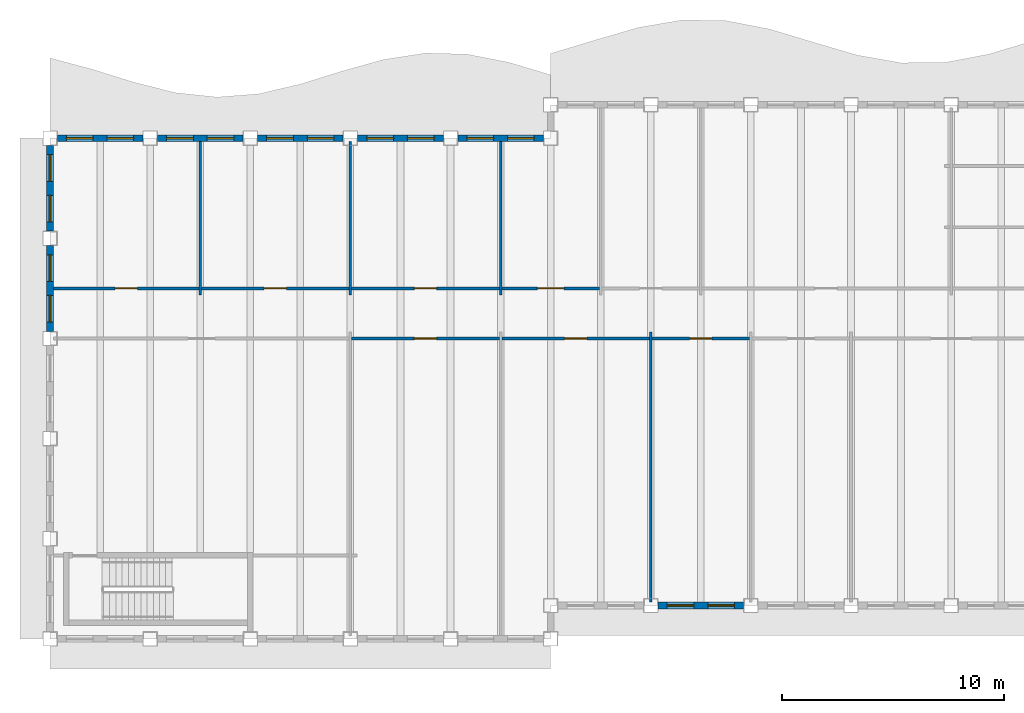
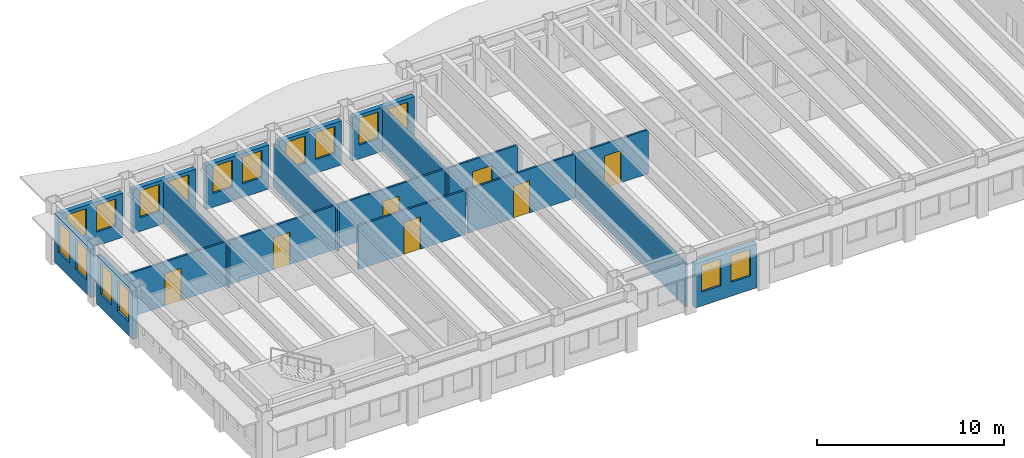
# One storey, part 3 of 12: 19 walls, 16 windows, 7 doors, 23 openings.
"""IFC4 building model written with IfcOpenShell, lengths in metres."""

from ifc_helpers import new_model, si_unit, direction, frame, frame_2d, origin, place, context, subcontext, project, spatial, rectangle, extrude, material, layer, layer_set, type_object, element, fill, save


model = new_model("IFC4")

# Units and contexts
model_context = context("Model", 3, precision=1e-05, world=origin(), true_north=direction((0.0, 1.0)))
body_context = subcontext(model_context, "Body", "Model", "MODEL_VIEW")
ifc_project = project(units=[si_unit("LENGTHUNIT", "METRE"), si_unit("AREAUNIT", "SQUARE_METRE"), si_unit("VOLUMEUNIT", "CUBIC_METRE"), si_unit("PLANEANGLEUNIT", "RADIAN"), si_unit("MASSUNIT", "GRAM", prefix="KILO")], contexts=[model_context])

# Site, building, storey
site_placement = place(None, origin())
site = spatial("IfcSite", under=ifc_project, at=site_placement, CompositionType="ELEMENT")
building_placement = place(site_placement, origin())
building = spatial("IfcBuilding", under=site, at=building_placement, Name="Sennacour Bend Tower", CompositionType="ELEMENT")
storey_placement = place(building_placement, frame((0.0, 0.0, 281.0)))
storey = spatial("IfcBuildingStorey", under=building, at=storey_placement, Name="L65", CompositionType="ELEMENT", Elevation=281.0)

# Walls
ifc_material_1 = material(Name="Plasterboard partition on steel studs", Category="steel")
ifc_layer_1 = layer(ifc_material_1, 0.1201171875, Name="Plasterboard partition on steel studs", Category="steel")
ifc_layer_set_1 = layer_set([ifc_layer_1], Name="Plasterboard partition on steel studs")
wall_type_1 = type_object("IfcWallType", Name="Partition 120", PredefinedType="PARTITIONING", material=ifc_layer_set_1)
for number, where, z_axis, x_axis, name in (
    (1, (6.75, 15.449951171875, 0.0), (0.0, 0.0, 1.0), (0.0, 1.0, 0.0), "P-L65-W003a"),
    (2, (13.5, 15.449951171875, 0.0), (0.0, 0.0, 1.0), (0.0, 1.0, 0.0), "P-L65-W006a"),
    (3, (20.25, 15.449951171875, 0.0), (0.0, 0.0, 1.0), (0.0, 1.0, 0.0), "P-L65-W008a"),
):
    element("IfcWall", number, at=place(storey_placement, frame(where, z_axis=z_axis, x_axis=x_axis)), inside=storey, type_object=wall_type_1, Name=name, PredefinedType="PARTITIONING", context=body_context, shape_type="SweptSolid", body=[
        extrude(rectangle(XDim=6.900146484375, YDim=0.1201171875, at=frame_2d((3.4501953125, 0.0))), origin(), (0.0, 0.0, 1.0), 2.8701171875),
    ])
wall_1_placement = place(storey_placement, frame((27.0, 1.64990234375, 0.0), z_axis=(0.0, 0.0, 1.0), x_axis=(0.0, 1.0, 0.0)))
element("IfcWall", 4, at=wall_1_placement, inside=storey, type_object=wall_type_1, Name="P-L65-W010a", PredefinedType="PARTITIONING", context=body_context, shape_type="SweptSolid", body=[
    extrude(rectangle(XDim=12.150146484375, YDim=0.1201171875, at=frame_2d((6.0751953125, 0.0))), origin(), (0.0, 0.0, 1.0), 2.8701171875),
])

# Wall, opening, door
wall_2_placement = place(storey_placement, frame((13.56005859375, 13.5, 0.0), z_axis=(0.0, 0.0, 1.0), x_axis=(1.0, 0.0, 0.0)))
wall_2 = element("IfcWall", 5, at=wall_2_placement, inside=storey, type_object=wall_type_1, Name="P-L65-W043ab", PredefinedType="PARTITIONING", context=body_context, shape_type="SweptSolid", body=[
    extrude(rectangle(XDim=6.6298828125, YDim=0.1201171875, at=frame_2d((3.31494140625, 0.0))), origin(), (0.0, 0.0, 1.0), 2.8701171875),
])
opening_1_placement = place(wall_2_placement, frame((2.81494140625, 0.0, 0.0)))
opening_1 = element("IfcOpeningElement", 6, at=opening_1_placement, cuts=wall_2, Name="Opening OD2", PredefinedType="OPENING", context=body_context, shape_type="SweptSolid", body=[
    extrude(rectangle(XDim=1.0, YDim=2.10009765625, at=frame_2d((0.5, 1.050048828125))), frame((0.0, 0.070068359375, 0.0), z_axis=(0.0, -1.0, 0.0), x_axis=(1.0, 0.0, 0.0)), (0.0, 0.0, 1.0), 0.14013671875),
])
ifc_material_2 = material(Name="Timber", Category="wood")
door_type_1 = type_object("IfcDoorType", Name="DR-OFFICE-1000", OperationType="NOTDEFINED", PredefinedType="DOOR", material=ifc_material_2)
door_1_placement = place(opening_1_placement, origin())
door_1 = element("IfcDoor", 7, at=door_1_placement, inside=storey, type_object=door_type_1, Name="Door", OperationType="SINGLE_SWING_LEFT", OverallHeight=2.10009765625, OverallWidth=1.0, PredefinedType="DOOR", context=body_context, shape_type="SweptSolid", body=[
    extrude(rectangle(XDim=1.0, YDim=2.10009765625, at=frame_2d((0.5, 1.050048828125))), frame((0.0, 0.02490234375, 0.0), z_axis=(0.0, -1.0, 0.0), x_axis=(1.0, 0.0, 0.0)), (0.0, 0.0, 1.0), 0.050048828125),
])
fill(opening_1, door_1)

wall_3_placement = place(storey_placement, frame((20.31005859375, 13.5, 0.0), z_axis=(0.0, 0.0, 1.0), x_axis=(1.0, 0.0, 0.0)))
wall_3 = element("IfcWall", 8, at=wall_3_placement, inside=storey, type_object=wall_type_1, Name="P-L65-W043ac", PredefinedType="PARTITIONING", context=body_context, shape_type="SweptSolid", body=[
    extrude(rectangle(XDim=6.6298828125, YDim=0.1201171875, at=frame_2d((3.31494140625, 0.0))), origin(), (0.0, 0.0, 1.0), 2.8701171875),
])
opening_2_placement = place(wall_3_placement, frame((2.81494140625, 0.0, 0.0)))
opening_2 = element("IfcOpeningElement", 9, at=opening_2_placement, cuts=wall_3, Name="Opening OD2", PredefinedType="OPENING", context=body_context, shape_type="SweptSolid", body=[
    extrude(rectangle(XDim=1.0, YDim=2.10009765625, at=frame_2d((0.5, 1.050048828125))), frame((0.0, 0.070068359375, 0.0), z_axis=(0.0, -1.0, 0.0), x_axis=(1.0, 0.0, 0.0)), (0.0, 0.0, 1.0), 0.14013671875),
])
door_2_placement = place(opening_2_placement, origin())
door_2 = element("IfcDoor", 10, at=door_2_placement, inside=storey, type_object=door_type_1, Name="Door", OperationType="SINGLE_SWING_LEFT", OverallHeight=2.10009765625, OverallWidth=1.0, PredefinedType="DOOR", context=body_context, shape_type="SweptSolid", body=[
    extrude(rectangle(XDim=1.0, YDim=2.10009765625, at=frame_2d((0.5, 1.050048828125))), frame((0.0, 0.02490234375, 0.0), z_axis=(0.0, -1.0, 0.0), x_axis=(1.0, 0.0, 0.0)), (0.0, 0.0, 1.0), 0.050048828125),
])
fill(opening_2, door_2)

wall_4_placement = place(storey_placement, frame((27.06005859375, 13.5, 0.0), z_axis=(0.0, 0.0, 1.0), x_axis=(1.0, 0.0, 0.0)))
wall_4 = element("IfcWall", 11, at=wall_4_placement, inside=storey, type_object=wall_type_1, Name="P-L65-W043ad", PredefinedType="PARTITIONING", context=body_context, shape_type="SweptSolid", body=[
    extrude(rectangle(XDim=4.3798828125, YDim=0.1201171875, at=frame_2d((2.18994140625, 0.0))), origin(), (0.0, 0.0, 1.0), 2.8701171875),
])
opening_3_placement = place(wall_4_placement, frame((1.68994140625, 0.0, 0.0)))
opening_3 = element("IfcOpeningElement", 12, at=opening_3_placement, cuts=wall_4, Name="Opening OD2", PredefinedType="OPENING", context=body_context, shape_type="SweptSolid", body=[
    extrude(rectangle(XDim=1.0, YDim=2.10009765625, at=frame_2d((0.5, 1.050048828125))), frame((0.0, 0.070068359375, 0.0), z_axis=(0.0, -1.0, 0.0), x_axis=(1.0, 0.0, 0.0)), (0.0, 0.0, 1.0), 0.14013671875),
])
door_3_placement = place(opening_3_placement, origin())
door_3 = element("IfcDoor", 13, at=door_3_placement, inside=storey, type_object=door_type_1, Name="Door", OperationType="SINGLE_SWING_LEFT", OverallHeight=2.10009765625, OverallWidth=1.0, PredefinedType="DOOR", context=body_context, shape_type="SweptSolid", body=[
    extrude(rectangle(XDim=1.0, YDim=2.10009765625, at=frame_2d((0.5, 1.050048828125))), frame((0.0, 0.02490234375, 0.0), z_axis=(0.0, -1.0, 0.0), x_axis=(1.0, 0.0, 0.0)), (0.0, 0.0, 1.0), 0.050048828125),
])
fill(opening_3, door_3)

wall_5_placement = place(storey_placement, frame((0.14990234375, 15.75, 0.0), z_axis=(0.0, 0.0, 1.0), x_axis=(1.0, 0.0, 0.0)))
wall_5 = element("IfcWall", 14, at=wall_5_placement, inside=storey, type_object=wall_type_1, Name="P-L65-W046aa", PredefinedType="PARTITIONING", context=body_context, shape_type="SweptSolid", body=[
    extrude(rectangle(XDim=6.5400390625, YDim=0.1201171875, at=frame_2d((3.27001953125, 0.0))), origin(), (0.0, 0.0, 1.0), 2.8701171875),
])
opening_4_placement = place(wall_5_placement, frame((2.780029296875, 0.0, 0.0)))
opening_4 = element("IfcOpeningElement", 15, at=opening_4_placement, cuts=wall_5, Name="Opening OD2", PredefinedType="OPENING", context=body_context, shape_type="SweptSolid", body=[
    extrude(rectangle(XDim=1.0, YDim=2.10009765625, at=frame_2d((0.5, 1.050048828125))), frame((0.0, 0.070068359375, 0.0), z_axis=(0.0, -1.0, 0.0), x_axis=(1.0, 0.0, 0.0)), (0.0, 0.0, 1.0), 0.14013671875),
])
door_4_placement = place(opening_4_placement, origin())
door_4 = element("IfcDoor", 16, at=door_4_placement, inside=storey, type_object=door_type_1, Name="Door", OperationType="SINGLE_SWING_RIGHT", OverallHeight=2.10009765625, OverallWidth=1.0, PredefinedType="DOOR", context=body_context, shape_type="SweptSolid", body=[
    extrude(rectangle(XDim=1.0, YDim=2.10009765625, at=frame_2d((0.5, 1.050048828125))), frame((0.0, 0.02490234375, 0.0), z_axis=(0.0, -1.0, 0.0), x_axis=(1.0, 0.0, 0.0)), (0.0, 0.0, 1.0), 0.050048828125),
])
fill(opening_4, door_4)

wall_6_placement = place(storey_placement, frame((6.81005859375, 15.75, 0.0), z_axis=(0.0, 0.0, 1.0), x_axis=(1.0, 0.0, 0.0)))
wall_6 = element("IfcWall", 17, at=wall_6_placement, inside=storey, type_object=wall_type_1, Name="P-L65-W046ab", PredefinedType="PARTITIONING", context=body_context, shape_type="SweptSolid", body=[
    extrude(rectangle(XDim=6.6298828125, YDim=0.1201171875, at=frame_2d((3.31494140625, 0.0))), origin(), (0.0, 0.0, 1.0), 2.8701171875),
])
opening_5_placement = place(wall_6_placement, frame((2.81494140625, 0.0, 0.0)))
opening_5 = element("IfcOpeningElement", 18, at=opening_5_placement, cuts=wall_6, Name="Opening OD2", PredefinedType="OPENING", context=body_context, shape_type="SweptSolid", body=[
    extrude(rectangle(XDim=1.0, YDim=2.10009765625, at=frame_2d((0.5, 1.050048828125))), frame((0.0, 0.070068359375, 0.0), z_axis=(0.0, -1.0, 0.0), x_axis=(1.0, 0.0, 0.0)), (0.0, 0.0, 1.0), 0.14013671875),
])
door_5_placement = place(opening_5_placement, origin())
door_5 = element("IfcDoor", 19, at=door_5_placement, inside=storey, type_object=door_type_1, Name="Door", OperationType="SINGLE_SWING_LEFT", OverallHeight=2.10009765625, OverallWidth=1.0, PredefinedType="DOOR", context=body_context, shape_type="SweptSolid", body=[
    extrude(rectangle(XDim=1.0, YDim=2.10009765625, at=frame_2d((0.5, 1.050048828125))), frame((0.0, 0.02490234375, 0.0), z_axis=(0.0, -1.0, 0.0), x_axis=(1.0, 0.0, 0.0)), (0.0, 0.0, 1.0), 0.050048828125),
])
fill(opening_5, door_5)

wall_7_placement = place(storey_placement, frame((13.56005859375, 15.75, 0.0), z_axis=(0.0, 0.0, 1.0), x_axis=(1.0, 0.0, 0.0)))
wall_7 = element("IfcWall", 20, at=wall_7_placement, inside=storey, type_object=wall_type_1, Name="P-L65-W046ac", PredefinedType="PARTITIONING", context=body_context, shape_type="SweptSolid", body=[
    extrude(rectangle(XDim=6.6298828125, YDim=0.1201171875, at=frame_2d((3.31494140625, 0.0))), origin(), (0.0, 0.0, 1.0), 2.8701171875),
])
opening_6_placement = place(wall_7_placement, frame((2.81494140625, 0.0, 0.0)))
opening_6 = element("IfcOpeningElement", 21, at=opening_6_placement, cuts=wall_7, Name="Opening OD2", PredefinedType="OPENING", context=body_context, shape_type="SweptSolid", body=[
    extrude(rectangle(XDim=1.0, YDim=2.10009765625, at=frame_2d((0.5, 1.050048828125))), frame((0.0, 0.070068359375, 0.0), z_axis=(0.0, -1.0, 0.0), x_axis=(1.0, 0.0, 0.0)), (0.0, 0.0, 1.0), 0.14013671875),
])
door_6_placement = place(opening_6_placement, origin())
door_6 = element("IfcDoor", 22, at=door_6_placement, inside=storey, type_object=door_type_1, Name="Door", OperationType="SINGLE_SWING_LEFT", OverallHeight=2.10009765625, OverallWidth=1.0, PredefinedType="DOOR", context=body_context, shape_type="SweptSolid", body=[
    extrude(rectangle(XDim=1.0, YDim=2.10009765625, at=frame_2d((0.5, 1.050048828125))), frame((0.0, 0.02490234375, 0.0), z_axis=(0.0, -1.0, 0.0), x_axis=(1.0, 0.0, 0.0)), (0.0, 0.0, 1.0), 0.050048828125),
])
fill(opening_6, door_6)

wall_8_placement = place(storey_placement, frame((20.31005859375, 15.75, 0.0), z_axis=(0.0, 0.0, 1.0), x_axis=(1.0, 0.0, 0.0)))
wall_8 = element("IfcWall", 23, at=wall_8_placement, inside=storey, type_object=wall_type_1, Name="P-L65-W046ad", PredefinedType="PARTITIONING", context=body_context, shape_type="SweptSolid", body=[
    extrude(rectangle(XDim=4.3798828125, YDim=0.1201171875, at=frame_2d((2.18994140625, 0.0))), origin(), (0.0, 0.0, 1.0), 2.8701171875),
])
opening_7_placement = place(wall_8_placement, frame((1.58984375, 0.0, 0.0)))
opening_7 = element("IfcOpeningElement", 24, at=opening_7_placement, cuts=wall_8, Name="Opening OD", PredefinedType="OPENING", context=body_context, shape_type="SweptSolid", body=[
    extrude(rectangle(XDim=1.199951171875, YDim=2.10009765625, at=frame_2d((0.60009765625, 1.050048828125))), frame((0.0, 0.070068359375, 0.0), z_axis=(0.0, -1.0, 0.0), x_axis=(1.0, 0.0, 0.0)), (0.0, 0.0, 1.0), 0.14013671875),
])
door_type_2 = type_object("IfcDoorType", Name="DR-OFFICE-1200", OperationType="NOTDEFINED", PredefinedType="DOOR", material=ifc_material_2)
door_7_placement = place(opening_7_placement, origin())
door_7 = element("IfcDoor", 25, at=door_7_placement, inside=storey, type_object=door_type_2, Name="Door", OperationType="SINGLE_SWING_LEFT", OverallHeight=2.10009765625, OverallWidth=1.199951171875, PredefinedType="DOOR", context=body_context, shape_type="SweptSolid", body=[
    extrude(rectangle(XDim=1.199951171875, YDim=2.10009765625, at=frame_2d((0.60009765625, 1.050048828125))), frame((0.0, 0.02490234375, 0.0), z_axis=(0.0, -1.0, 0.0), x_axis=(1.0, 0.0, 0.0)), (0.0, 0.0, 1.0), 0.050048828125),
])
fill(opening_7, door_7)

# Wall, openings, windows
ifc_material_3 = material(Name="Warm limestone cladding", Category="masonry")
ifc_layer_2 = layer(ifc_material_3, 0.050048828125, Name="Warm limestone cladding", Category="masonry")
ifc_material_4 = material(Name="Precast concrete C40/50", Category="concrete")
ifc_layer_3 = layer(ifc_material_4, 0.25, Name="Precast concrete C40/50", Category="concrete")
ifc_layer_set_2 = layer_set([ifc_layer_2, ifc_layer_3], Name="Precast concrete C40/50 with limestone cladding")
wall_type_2 = type_object("IfcWallType", Name="STONE-CLAD PRECAST SPANDREL 300", PredefinedType="STANDARD", material=ifc_layer_set_2)
wall_9_placement = place(storey_placement, frame((27.324951171875, 1.5, 0.0), z_axis=(0.0, 0.0, 1.0), x_axis=(1.0, 0.0, 0.0)))
wall_9 = element("IfcWall", 26, at=wall_9_placement, inside=storey, type_object=wall_type_2, Name="Stone spandrel and pier wall L65 01.01", PredefinedType="STANDARD", context=body_context, shape_type="SweptSolid", body=[
    extrude(rectangle(XDim=3.85009765625, YDim=0.300048828125, at=frame_2d((1.925048828125, 0.0))), origin(), (0.0, 0.0, 1.0), 2.8701171875),
])
opening_8_placement = place(wall_9_placement, frame((0.41259765625, 0.0, 0.89990234375)))
opening_8 = element("IfcOpeningElement", 27, at=opening_8_placement, cuts=wall_9, Name="Opening W16", PredefinedType="OPENING", context=body_context, shape_type="SweptSolid", body=[
    extrude(rectangle(XDim=1.199951171875, YDim=1.75, at=frame_2d((0.60009765625, 0.875))), frame((0.0, 0.16015625, 0.0), z_axis=(0.0, -1.0, 0.0), x_axis=(1.0, 0.0, 0.0)), (0.0, 0.0, 1.0), 0.320068359375),
])
opening_9_placement = place(wall_9_placement, frame((2.237548828125, 0.0, 0.89990234375)))
opening_9 = element("IfcOpeningElement", 28, at=opening_9_placement, cuts=wall_9, Name="Opening W16", PredefinedType="OPENING", context=body_context, shape_type="SweptSolid", body=[
    extrude(rectangle(XDim=1.199951171875, YDim=1.75, at=frame_2d((0.60009765625, 0.875))), frame((0.0, 0.16015625, 0.0), z_axis=(0.0, -1.0, 0.0), x_axis=(1.0, 0.0, 0.0)), (0.0, 0.0, 1.0), 0.320068359375),
])
ifc_material_5 = material(Name="Clear low-emissivity glass", Category="glass")
window_type_1 = type_object("IfcWindowType", Name="WIN-RIBBON-1200x1750", PartitioningType="SINGLE_PANEL", PredefinedType="WINDOW", material=ifc_material_5)
window_1_placement = place(opening_8_placement, origin())
window_1 = element("IfcWindow", 29, at=window_1_placement, inside=storey, type_object=window_type_1, Name="Ribbon window L65 01.01.0", OverallHeight=1.75, OverallWidth=1.199951171875, PartitioningType="SINGLE_PANEL", PredefinedType="WINDOW", context=body_context, shape_type="SweptSolid", body=[
    extrude(rectangle(XDim=1.199951171875, YDim=1.75, at=frame_2d((0.60009765625, 0.875))), frame((0.0, 0.030029296875, 0.0), z_axis=(0.0, -1.0, 0.0), x_axis=(1.0, 0.0, 0.0)), (0.0, 0.0, 1.0), 0.06005859375),
])
fill(opening_8, window_1)
window_2_placement = place(opening_9_placement, origin())
window_2 = element("IfcWindow", 30, at=window_2_placement, inside=storey, type_object=window_type_1, Name="Ribbon window L65 01.01.1", OverallHeight=1.75, OverallWidth=1.199951171875, PartitioningType="SINGLE_PANEL", PredefinedType="WINDOW", context=body_context, shape_type="SweptSolid", body=[
    extrude(rectangle(XDim=1.199951171875, YDim=1.75, at=frame_2d((0.60009765625, 0.875))), frame((0.0, 0.030029296875, 0.0), z_axis=(0.0, -1.0, 0.0), x_axis=(1.0, 0.0, 0.0)), (0.0, 0.0, 1.0), 0.06005859375),
])
fill(opening_9, window_2)

wall_10_placement = place(storey_placement, frame((22.175048828125, 22.5, 0.0), z_axis=(0.0, 0.0, 1.0), x_axis=(-1.0, 0.0, 0.0)))
wall_10 = element("IfcWall", 31, at=wall_10_placement, inside=storey, type_object=wall_type_2, Name="Stone spandrel and pier wall L65 09.00", PredefinedType="STANDARD", context=body_context, shape_type="SweptSolid", body=[
    extrude(rectangle(XDim=3.85009765625, YDim=0.300048828125, at=frame_2d((1.925048828125, 0.0))), origin(), (0.0, 0.0, 1.0), 2.8701171875),
])
opening_10_placement = place(wall_10_placement, frame((0.41259765625, 0.0, 0.89990234375)))
opening_10 = element("IfcOpeningElement", 32, at=opening_10_placement, cuts=wall_10, Name="Opening W16", PredefinedType="OPENING", context=body_context, shape_type="SweptSolid", body=[
    extrude(rectangle(XDim=1.199951171875, YDim=1.75, at=frame_2d((0.60009765625, 0.875))), frame((0.0, 0.16015625, 0.0), z_axis=(0.0, -1.0, 0.0), x_axis=(1.0, 0.0, 0.0)), (0.0, 0.0, 1.0), 0.320068359375),
])
opening_11_placement = place(wall_10_placement, frame((2.237548828125, 0.0, 0.89990234375)))
opening_11 = element("IfcOpeningElement", 33, at=opening_11_placement, cuts=wall_10, Name="Opening W16", PredefinedType="OPENING", context=body_context, shape_type="SweptSolid", body=[
    extrude(rectangle(XDim=1.199951171875, YDim=1.75, at=frame_2d((0.60009765625, 0.875))), frame((0.0, 0.16015625, 0.0), z_axis=(0.0, -1.0, 0.0), x_axis=(1.0, 0.0, 0.0)), (0.0, 0.0, 1.0), 0.320068359375),
])
window_3_placement = place(opening_10_placement, origin())
window_3 = element("IfcWindow", 34, at=window_3_placement, inside=storey, type_object=window_type_1, Name="Ribbon window L65 09.00.0", OverallHeight=1.75, OverallWidth=1.199951171875, PartitioningType="SINGLE_PANEL", PredefinedType="WINDOW", context=body_context, shape_type="SweptSolid", body=[
    extrude(rectangle(XDim=1.199951171875, YDim=1.75, at=frame_2d((0.60009765625, 0.875))), frame((0.0, 0.030029296875, 0.0), z_axis=(0.0, -1.0, 0.0), x_axis=(1.0, 0.0, 0.0)), (0.0, 0.0, 1.0), 0.06005859375),
])
fill(opening_10, window_3)
window_4_placement = place(opening_11_placement, origin())
window_4 = element("IfcWindow", 35, at=window_4_placement, inside=storey, type_object=window_type_1, Name="Ribbon window L65 09.00.1", OverallHeight=1.75, OverallWidth=1.199951171875, PartitioningType="SINGLE_PANEL", PredefinedType="WINDOW", context=body_context, shape_type="SweptSolid", body=[
    extrude(rectangle(XDim=1.199951171875, YDim=1.75, at=frame_2d((0.60009765625, 0.875))), frame((0.0, 0.030029296875, 0.0), z_axis=(0.0, -1.0, 0.0), x_axis=(1.0, 0.0, 0.0)), (0.0, 0.0, 1.0), 0.06005859375),
])
fill(opening_11, window_4)

wall_11_placement = place(storey_placement, frame((17.675048828125, 22.5, 0.0), z_axis=(0.0, 0.0, 1.0), x_axis=(-1.0, 0.0, 0.0)))
wall_11 = element("IfcWall", 36, at=wall_11_placement, inside=storey, type_object=wall_type_2, Name="Stone spandrel and pier wall L65 09.01", PredefinedType="STANDARD", context=body_context, shape_type="SweptSolid", body=[
    extrude(rectangle(XDim=3.85009765625, YDim=0.300048828125, at=frame_2d((1.925048828125, 0.0))), origin(), (0.0, 0.0, 1.0), 2.8701171875),
])
opening_12_placement = place(wall_11_placement, frame((0.41259765625, 0.0, 0.89990234375)))
opening_12 = element("IfcOpeningElement", 37, at=opening_12_placement, cuts=wall_11, Name="Opening W16", PredefinedType="OPENING", context=body_context, shape_type="SweptSolid", body=[
    extrude(rectangle(XDim=1.199951171875, YDim=1.75, at=frame_2d((0.60009765625, 0.875))), frame((0.0, 0.16015625, 0.0), z_axis=(0.0, -1.0, 0.0), x_axis=(1.0, 0.0, 0.0)), (0.0, 0.0, 1.0), 0.320068359375),
])
opening_13_placement = place(wall_11_placement, frame((2.237548828125, 0.0, 0.89990234375)))
opening_13 = element("IfcOpeningElement", 38, at=opening_13_placement, cuts=wall_11, Name="Opening W16", PredefinedType="OPENING", context=body_context, shape_type="SweptSolid", body=[
    extrude(rectangle(XDim=1.199951171875, YDim=1.75, at=frame_2d((0.60009765625, 0.875))), frame((0.0, 0.16015625, 0.0), z_axis=(0.0, -1.0, 0.0), x_axis=(1.0, 0.0, 0.0)), (0.0, 0.0, 1.0), 0.320068359375),
])
window_5_placement = place(opening_12_placement, origin())
window_5 = element("IfcWindow", 39, at=window_5_placement, inside=storey, type_object=window_type_1, Name="Ribbon window L65 09.01.0", OverallHeight=1.75, OverallWidth=1.199951171875, PartitioningType="SINGLE_PANEL", PredefinedType="WINDOW", context=body_context, shape_type="SweptSolid", body=[
    extrude(rectangle(XDim=1.199951171875, YDim=1.75, at=frame_2d((0.60009765625, 0.875))), frame((0.0, 0.030029296875, 0.0), z_axis=(0.0, -1.0, 0.0), x_axis=(1.0, 0.0, 0.0)), (0.0, 0.0, 1.0), 0.06005859375),
])
fill(opening_12, window_5)
window_6_placement = place(opening_13_placement, origin())
window_6 = element("IfcWindow", 40, at=window_6_placement, inside=storey, type_object=window_type_1, Name="Ribbon window L65 09.01.1", OverallHeight=1.75, OverallWidth=1.199951171875, PartitioningType="SINGLE_PANEL", PredefinedType="WINDOW", context=body_context, shape_type="SweptSolid", body=[
    extrude(rectangle(XDim=1.199951171875, YDim=1.75, at=frame_2d((0.60009765625, 0.875))), frame((0.0, 0.030029296875, 0.0), z_axis=(0.0, -1.0, 0.0), x_axis=(1.0, 0.0, 0.0)), (0.0, 0.0, 1.0), 0.06005859375),
])
fill(opening_13, window_6)

wall_12_placement = place(storey_placement, frame((13.175048828125, 22.5, 0.0), z_axis=(0.0, 0.0, 1.0), x_axis=(-1.0, 0.0, 0.0)))
wall_12 = element("IfcWall", 41, at=wall_12_placement, inside=storey, type_object=wall_type_2, Name="Stone spandrel and pier wall L65 09.02", PredefinedType="STANDARD", context=body_context, shape_type="SweptSolid", body=[
    extrude(rectangle(XDim=3.85009765625, YDim=0.300048828125, at=frame_2d((1.925048828125, 0.0))), origin(), (0.0, 0.0, 1.0), 2.8701171875),
])
opening_14_placement = place(wall_12_placement, frame((0.41259765625, 0.0, 0.89990234375)))
opening_14 = element("IfcOpeningElement", 42, at=opening_14_placement, cuts=wall_12, Name="Opening W16", PredefinedType="OPENING", context=body_context, shape_type="SweptSolid", body=[
    extrude(rectangle(XDim=1.199951171875, YDim=1.75, at=frame_2d((0.60009765625, 0.875))), frame((0.0, 0.16015625, 0.0), z_axis=(0.0, -1.0, 0.0), x_axis=(1.0, 0.0, 0.0)), (0.0, 0.0, 1.0), 0.320068359375),
])
opening_15_placement = place(wall_12_placement, frame((2.237548828125, 0.0, 0.89990234375)))
opening_15 = element("IfcOpeningElement", 43, at=opening_15_placement, cuts=wall_12, Name="Opening W16", PredefinedType="OPENING", context=body_context, shape_type="SweptSolid", body=[
    extrude(rectangle(XDim=1.199951171875, YDim=1.75, at=frame_2d((0.60009765625, 0.875))), frame((0.0, 0.16015625, 0.0), z_axis=(0.0, -1.0, 0.0), x_axis=(1.0, 0.0, 0.0)), (0.0, 0.0, 1.0), 0.320068359375),
])
window_7_placement = place(opening_14_placement, origin())
window_7 = element("IfcWindow", 44, at=window_7_placement, inside=storey, type_object=window_type_1, Name="Ribbon window L65 09.02.0", OverallHeight=1.75, OverallWidth=1.199951171875, PartitioningType="SINGLE_PANEL", PredefinedType="WINDOW", context=body_context, shape_type="SweptSolid", body=[
    extrude(rectangle(XDim=1.199951171875, YDim=1.75, at=frame_2d((0.60009765625, 0.875))), frame((0.0, 0.030029296875, 0.0), z_axis=(0.0, -1.0, 0.0), x_axis=(1.0, 0.0, 0.0)), (0.0, 0.0, 1.0), 0.06005859375),
])
fill(opening_14, window_7)
window_8_placement = place(opening_15_placement, origin())
window_8 = element("IfcWindow", 45, at=window_8_placement, inside=storey, type_object=window_type_1, Name="Ribbon window L65 09.02.1", OverallHeight=1.75, OverallWidth=1.199951171875, PartitioningType="SINGLE_PANEL", PredefinedType="WINDOW", context=body_context, shape_type="SweptSolid", body=[
    extrude(rectangle(XDim=1.199951171875, YDim=1.75, at=frame_2d((0.60009765625, 0.875))), frame((0.0, 0.030029296875, 0.0), z_axis=(0.0, -1.0, 0.0), x_axis=(1.0, 0.0, 0.0)), (0.0, 0.0, 1.0), 0.06005859375),
])
fill(opening_15, window_8)

wall_13_placement = place(storey_placement, frame((8.675048828125, 22.5, 0.0), z_axis=(0.0, 0.0, 1.0), x_axis=(-1.0, 0.0, 0.0)))
wall_13 = element("IfcWall", 46, at=wall_13_placement, inside=storey, type_object=wall_type_2, Name="Stone spandrel and pier wall L65 09.03", PredefinedType="STANDARD", context=body_context, shape_type="SweptSolid", body=[
    extrude(rectangle(XDim=3.85009765625, YDim=0.300048828125, at=frame_2d((1.925048828125, 0.0))), origin(), (0.0, 0.0, 1.0), 2.8701171875),
])
opening_16_placement = place(wall_13_placement, frame((0.41259765625, 0.0, 0.89990234375)))
opening_16 = element("IfcOpeningElement", 47, at=opening_16_placement, cuts=wall_13, Name="Opening W16", PredefinedType="OPENING", context=body_context, shape_type="SweptSolid", body=[
    extrude(rectangle(XDim=1.199951171875, YDim=1.75, at=frame_2d((0.60009765625, 0.875))), frame((0.0, 0.16015625, 0.0), z_axis=(0.0, -1.0, 0.0), x_axis=(1.0, 0.0, 0.0)), (0.0, 0.0, 1.0), 0.320068359375),
])
opening_17_placement = place(wall_13_placement, frame((2.237548828125, 0.0, 0.89990234375)))
opening_17 = element("IfcOpeningElement", 48, at=opening_17_placement, cuts=wall_13, Name="Opening W16", PredefinedType="OPENING", context=body_context, shape_type="SweptSolid", body=[
    extrude(rectangle(XDim=1.199951171875, YDim=1.75, at=frame_2d((0.60009765625, 0.875))), frame((0.0, 0.16015625, 0.0), z_axis=(0.0, -1.0, 0.0), x_axis=(1.0, 0.0, 0.0)), (0.0, 0.0, 1.0), 0.320068359375),
])
window_9_placement = place(opening_16_placement, origin())
window_9 = element("IfcWindow", 49, at=window_9_placement, inside=storey, type_object=window_type_1, Name="Ribbon window L65 09.03.0", OverallHeight=1.75, OverallWidth=1.199951171875, PartitioningType="SINGLE_PANEL", PredefinedType="WINDOW", context=body_context, shape_type="SweptSolid", body=[
    extrude(rectangle(XDim=1.199951171875, YDim=1.75, at=frame_2d((0.60009765625, 0.875))), frame((0.0, 0.030029296875, 0.0), z_axis=(0.0, -1.0, 0.0), x_axis=(1.0, 0.0, 0.0)), (0.0, 0.0, 1.0), 0.06005859375),
])
fill(opening_16, window_9)
window_10_placement = place(opening_17_placement, origin())
window_10 = element("IfcWindow", 50, at=window_10_placement, inside=storey, type_object=window_type_1, Name="Ribbon window L65 09.03.1", OverallHeight=1.75, OverallWidth=1.199951171875, PartitioningType="SINGLE_PANEL", PredefinedType="WINDOW", context=body_context, shape_type="SweptSolid", body=[
    extrude(rectangle(XDim=1.199951171875, YDim=1.75, at=frame_2d((0.60009765625, 0.875))), frame((0.0, 0.030029296875, 0.0), z_axis=(0.0, -1.0, 0.0), x_axis=(1.0, 0.0, 0.0)), (0.0, 0.0, 1.0), 0.06005859375),
])
fill(opening_17, window_10)

wall_14_placement = place(storey_placement, frame((4.175048828125, 22.5, 0.0), z_axis=(0.0, 0.0, 1.0), x_axis=(-1.0, 0.0, 0.0)))
wall_14 = element("IfcWall", 51, at=wall_14_placement, inside=storey, type_object=wall_type_2, Name="Stone spandrel and pier wall L65 09.04", PredefinedType="STANDARD", context=body_context, shape_type="SweptSolid", body=[
    extrude(rectangle(XDim=3.85009765625, YDim=0.300048828125, at=frame_2d((1.925048828125, 0.0))), origin(), (0.0, 0.0, 1.0), 2.8701171875),
])
opening_18_placement = place(wall_14_placement, frame((0.41259765625, 0.0, 0.89990234375)))
opening_18 = element("IfcOpeningElement", 52, at=opening_18_placement, cuts=wall_14, Name="Opening W16", PredefinedType="OPENING", context=body_context, shape_type="SweptSolid", body=[
    extrude(rectangle(XDim=1.199951171875, YDim=1.75, at=frame_2d((0.60009765625, 0.875))), frame((0.0, 0.16015625, 0.0), z_axis=(0.0, -1.0, 0.0), x_axis=(1.0, 0.0, 0.0)), (0.0, 0.0, 1.0), 0.320068359375),
])
opening_19_placement = place(wall_14_placement, frame((2.237548828125, 0.0, 0.89990234375)))
opening_19 = element("IfcOpeningElement", 53, at=opening_19_placement, cuts=wall_14, Name="Opening W16", PredefinedType="OPENING", context=body_context, shape_type="SweptSolid", body=[
    extrude(rectangle(XDim=1.199951171875, YDim=1.75, at=frame_2d((0.60009765625, 0.875))), frame((0.0, 0.16015625, 0.0), z_axis=(0.0, -1.0, 0.0), x_axis=(1.0, 0.0, 0.0)), (0.0, 0.0, 1.0), 0.320068359375),
])
window_11_placement = place(opening_18_placement, origin())
window_11 = element("IfcWindow", 54, at=window_11_placement, inside=storey, type_object=window_type_1, Name="Ribbon window L65 09.04.0", OverallHeight=1.75, OverallWidth=1.199951171875, PartitioningType="SINGLE_PANEL", PredefinedType="WINDOW", context=body_context, shape_type="SweptSolid", body=[
    extrude(rectangle(XDim=1.199951171875, YDim=1.75, at=frame_2d((0.60009765625, 0.875))), frame((0.0, 0.030029296875, 0.0), z_axis=(0.0, -1.0, 0.0), x_axis=(1.0, 0.0, 0.0)), (0.0, 0.0, 1.0), 0.06005859375),
])
fill(opening_18, window_11)
window_12_placement = place(opening_19_placement, origin())
window_12 = element("IfcWindow", 55, at=window_12_placement, inside=storey, type_object=window_type_1, Name="Ribbon window L65 09.04.1", OverallHeight=1.75, OverallWidth=1.199951171875, PartitioningType="SINGLE_PANEL", PredefinedType="WINDOW", context=body_context, shape_type="SweptSolid", body=[
    extrude(rectangle(XDim=1.199951171875, YDim=1.75, at=frame_2d((0.60009765625, 0.875))), frame((0.0, 0.030029296875, 0.0), z_axis=(0.0, -1.0, 0.0), x_axis=(1.0, 0.0, 0.0)), (0.0, 0.0, 1.0), 0.06005859375),
])
fill(opening_19, window_12)

wall_15_placement = place(storey_placement, frame((0.0, 22.175048828125, 0.0), z_axis=(0.0, 0.0, 1.0), x_axis=(0.0, -1.0, 0.0)))
wall_15 = element("IfcWall", 56, at=wall_15_placement, inside=storey, type_object=wall_type_2, Name="Stone spandrel and pier wall L65 10.00", PredefinedType="STANDARD", context=body_context, shape_type="SweptSolid", body=[
    extrude(rectangle(XDim=3.85009765625, YDim=0.300048828125, at=frame_2d((1.925048828125, 0.0))), origin(), (0.0, 0.0, 1.0), 3.162109375),
])
opening_20_placement = place(wall_15_placement, frame((0.41259765625, 0.0, 0.89990234375)))
opening_20 = element("IfcOpeningElement", 57, at=opening_20_placement, cuts=wall_15, Name="Opening W14", PredefinedType="OPENING", context=body_context, shape_type="SweptSolid", body=[
    extrude(rectangle(XDim=1.199951171875, YDim=2.0, at=frame_2d((0.60009765625, 1.0))), frame((0.0, 0.16015625, 0.0), z_axis=(0.0, -1.0, 0.0), x_axis=(1.0, 0.0, 0.0)), (0.0, 0.0, 1.0), 0.320068359375),
])
opening_21_placement = place(wall_15_placement, frame((2.237548828125, 0.0, 0.89990234375)))
opening_21 = element("IfcOpeningElement", 58, at=opening_21_placement, cuts=wall_15, Name="Opening W14", PredefinedType="OPENING", context=body_context, shape_type="SweptSolid", body=[
    extrude(rectangle(XDim=1.199951171875, YDim=2.0, at=frame_2d((0.60009765625, 1.0))), frame((0.0, 0.16015625, 0.0), z_axis=(0.0, -1.0, 0.0), x_axis=(1.0, 0.0, 0.0)), (0.0, 0.0, 1.0), 0.320068359375),
])
window_type_2 = type_object("IfcWindowType", Name="WIN-RIBBON-1200x2000", PartitioningType="SINGLE_PANEL", PredefinedType="WINDOW", material=ifc_material_5)
window_13_placement = place(opening_20_placement, origin())
window_13 = element("IfcWindow", 59, at=window_13_placement, inside=storey, type_object=window_type_2, Name="Ribbon window L65 10.00.0", OverallHeight=2.0, OverallWidth=1.199951171875, PartitioningType="SINGLE_PANEL", PredefinedType="WINDOW", context=body_context, shape_type="SweptSolid", body=[
    extrude(rectangle(XDim=1.199951171875, YDim=2.0, at=frame_2d((0.60009765625, 1.0))), frame((0.0, 0.030029296875, 0.0), z_axis=(0.0, -1.0, 0.0), x_axis=(1.0, 0.0, 0.0)), (0.0, 0.0, 1.0), 0.06005859375),
])
fill(opening_20, window_13)
window_14_placement = place(opening_21_placement, origin())
window_14 = element("IfcWindow", 60, at=window_14_placement, inside=storey, type_object=window_type_2, Name="Ribbon window L65 10.00.1", OverallHeight=2.0, OverallWidth=1.199951171875, PartitioningType="SINGLE_PANEL", PredefinedType="WINDOW", context=body_context, shape_type="SweptSolid", body=[
    extrude(rectangle(XDim=1.199951171875, YDim=2.0, at=frame_2d((0.60009765625, 1.0))), frame((0.0, 0.030029296875, 0.0), z_axis=(0.0, -1.0, 0.0), x_axis=(1.0, 0.0, 0.0)), (0.0, 0.0, 1.0), 0.06005859375),
])
fill(opening_21, window_14)

wall_16_placement = place(storey_placement, frame((0.0, 17.675048828125, 0.0), z_axis=(0.0, 0.0, 1.0), x_axis=(0.0, -1.0, 0.0)))
wall_16 = element("IfcWall", 61, at=wall_16_placement, inside=storey, type_object=wall_type_2, Name="Stone spandrel and pier wall L65 10.01", PredefinedType="STANDARD", context=body_context, shape_type="SweptSolid", body=[
    extrude(rectangle(XDim=3.85009765625, YDim=0.300048828125, at=frame_2d((1.925048828125, 0.0))), origin(), (0.0, 0.0, 1.0), 3.162109375),
])
opening_22_placement = place(wall_16_placement, frame((0.41259765625, 0.0, 0.89990234375)))
opening_22 = element("IfcOpeningElement", 62, at=opening_22_placement, cuts=wall_16, Name="Opening W14", PredefinedType="OPENING", context=body_context, shape_type="SweptSolid", body=[
    extrude(rectangle(XDim=1.199951171875, YDim=2.0, at=frame_2d((0.60009765625, 1.0))), frame((0.0, 0.16015625, 0.0), z_axis=(0.0, -1.0, 0.0), x_axis=(1.0, 0.0, 0.0)), (0.0, 0.0, 1.0), 0.320068359375),
])
opening_23_placement = place(wall_16_placement, frame((2.237548828125, 0.0, 0.89990234375)))
opening_23 = element("IfcOpeningElement", 63, at=opening_23_placement, cuts=wall_16, Name="Opening W14", PredefinedType="OPENING", context=body_context, shape_type="SweptSolid", body=[
    extrude(rectangle(XDim=1.199951171875, YDim=2.0, at=frame_2d((0.60009765625, 1.0))), frame((0.0, 0.16015625, 0.0), z_axis=(0.0, -1.0, 0.0), x_axis=(1.0, 0.0, 0.0)), (0.0, 0.0, 1.0), 0.320068359375),
])
window_15_placement = place(opening_22_placement, origin())
window_15 = element("IfcWindow", 64, at=window_15_placement, inside=storey, type_object=window_type_2, Name="Ribbon window L65 10.01.0", OverallHeight=2.0, OverallWidth=1.199951171875, PartitioningType="SINGLE_PANEL", PredefinedType="WINDOW", context=body_context, shape_type="SweptSolid", body=[
    extrude(rectangle(XDim=1.199951171875, YDim=2.0, at=frame_2d((0.60009765625, 1.0))), frame((0.0, 0.030029296875, 0.0), z_axis=(0.0, -1.0, 0.0), x_axis=(1.0, 0.0, 0.0)), (0.0, 0.0, 1.0), 0.06005859375),
])
fill(opening_22, window_15)
window_16_placement = place(opening_23_placement, origin())
window_16 = element("IfcWindow", 65, at=window_16_placement, inside=storey, type_object=window_type_2, Name="Ribbon window L65 10.01.1", OverallHeight=2.0, OverallWidth=1.199951171875, PartitioningType="SINGLE_PANEL", PredefinedType="WINDOW", context=body_context, shape_type="SweptSolid", body=[
    extrude(rectangle(XDim=1.199951171875, YDim=2.0, at=frame_2d((0.60009765625, 1.0))), frame((0.0, 0.030029296875, 0.0), z_axis=(0.0, -1.0, 0.0), x_axis=(1.0, 0.0, 0.0)), (0.0, 0.0, 1.0), 0.06005859375),
])
fill(opening_23, window_16)

save(model, "model.ifc")
